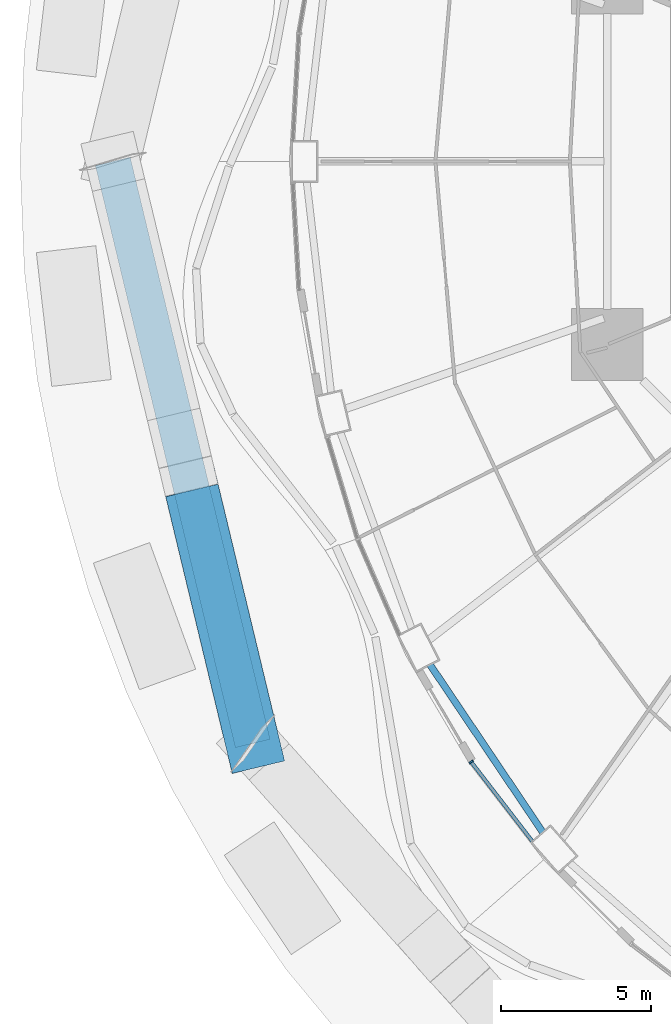
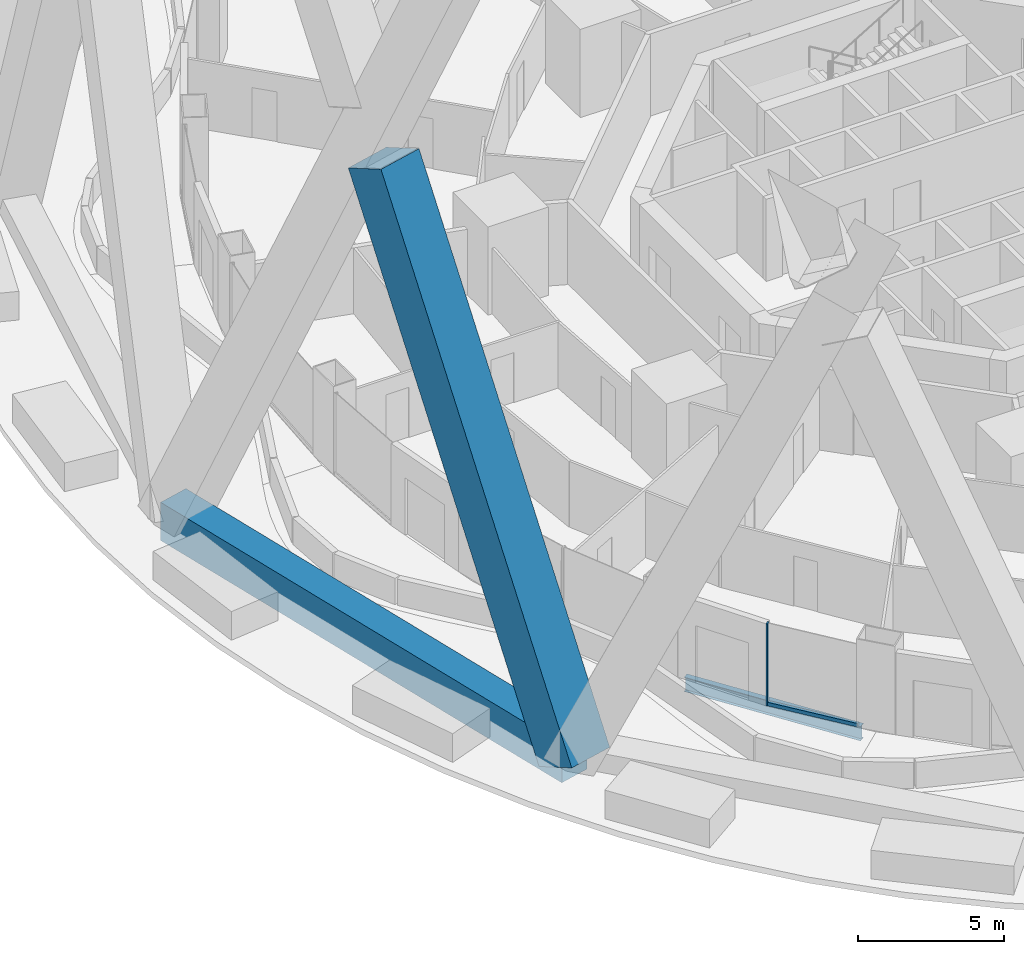
# One storey, part 4 of 42: 4 members, 1 beam, 1 element without a shape of its own.
"""IFC4 building model written with IfcOpenShell, lengths in metres."""

from ifc_helpers import new_model, si_unit, direction, frame, origin, origin_2d, place, context, subcontext, project, spatial, rectangle, i_section, extrude, material, layer, layer_set, material_profile, profile_set, type_object, element, aggregate, save


model = new_model("IFC4")

# Units and contexts
model_context = context("Model", 3, precision=1e-05, world=origin(), true_north=direction((0.0, 1.0)))
body_context = subcontext(model_context, "Body", "Model", "MODEL_VIEW")
ifc_project = project(units=[si_unit("LENGTHUNIT", "METRE"), si_unit("AREAUNIT", "SQUARE_METRE"), si_unit("VOLUMEUNIT", "CUBIC_METRE"), si_unit("PLANEANGLEUNIT", "RADIAN"), si_unit("MASSUNIT", "GRAM", prefix="KILO")], contexts=[model_context])

# Site, building, storey
site_placement = place(None, origin())
site = spatial("IfcSite", under=ifc_project, at=site_placement, CompositionType="ELEMENT")
building_placement = place(site_placement, origin())
building = spatial("IfcBuilding", under=site, at=building_placement, Name="Nagisa Residences", CompositionType="ELEMENT")
storey_placement = place(building_placement, frame((0.0, 0.0, 27.0)))
storey = spatial("IfcBuildingStorey", under=building, at=storey_placement, Name="L05", CompositionType="ELEMENT", Elevation=27.0)

# Curtain wall, members
ifc_material_1 = material(Name="Concrete-coloured aluminium curtain wall system", Category="concrete")
ifc_layer = layer(ifc_material_1, 0.159912109375)
ifc_layer_set = layer_set([ifc_layer], Name="CW1 CURTAIN WALL")
curtain_wall_type = type_object("IfcCurtainWallType", Name="CW1 CURTAIN WALL", PredefinedType="NOTDEFINED", material=ifc_layer_set)
curtain_wall_placement = place(storey_placement, origin())
curtain_wall = element("IfcCurtainWall", 1, at=curtain_wall_placement, inside=storey, type_object=curtain_wall_type, Name="cw:CW1:L05:29", PredefinedType="NOTDEFINED")
ifc_material_2 = material(Name="Concrete-coloured aluminium", Category="concrete")
ifc_material_profile_1 = material_profile(ifc_material_2, rectangle(XDim=0.159912109375, YDim=0.06005859375, at=origin_2d()), Name="CW1 MULLION 160x60")
ifc_profile_set_1 = profile_set([ifc_material_profile_1], Name="Concrete-coloured aluminium")
member_type_1 = type_object("IfcMemberType", Name="CW1 MULLION 160x60", PredefinedType="MULLION", material=ifc_profile_set_1)
member_1_placement = place(storey_placement, frame((-19.32568359375, -20.06396484375, 0.0), z_axis=(0.0, 0.0, 1.0), x_axis=(0.792070340816, 0.610429828235, 0.0)))
member_1 = element("IfcMember", 2, at=member_1_placement, type_object=member_type_1, Name="CW1 mullion", PredefinedType="MULLION", context=body_context, shape_type="SweptSolid", body=[
    extrude(rectangle(XDim=0.159912109375, YDim=0.06005859375, at=origin_2d()), origin(), (0.0, 0.0, 1.0), 3.43994140625),
])
ifc_material_3 = material(Name="Concrete-coloured aluminium", Category="concrete")
ifc_material_profile_2 = material_profile(ifc_material_3, rectangle(XDim=0.1201171875, YDim=0.14990234375, at=origin_2d()), Name="CW1 TRANSOM 120x150")
ifc_profile_set_2 = profile_set([ifc_material_profile_2], Name="Concrete-coloured aluminium")
member_type_2 = type_object("IfcMemberType", Name="CW1 TRANSOM 120x150", PredefinedType="USERDEFINED", material=ifc_profile_set_2)
member_2_placement = place(storey_placement, frame((-19.343994140625, -20.040283203125, 0.074951171875), z_axis=(0.610457147657, -0.792049285635, 0.0), x_axis=(0.792049285635, 0.610457147657, 0.0)))
member_2 = element("IfcMember", 3, at=member_2_placement, type_object=member_type_2, Name="CW1 transom", ObjectType="TRANSOM", PredefinedType="USERDEFINED", context=body_context, shape_type="SweptSolid", body=[
    extrude(rectangle(XDim=0.1201171875, YDim=0.14990234375, at=origin_2d()), origin(), (0.0, 0.0, 1.0), 3.3974609375),
])
aggregate(curtain_wall, [member_1, member_2])

# Members
ifc_material_4 = material(Name="Concrete C80", Category="concrete")
ifc_material_profile_3 = material_profile(ifc_material_4, rectangle(XDim=1.800048828125, YDim=1.800048828125, at=origin_2d()), Name="C80 1800x1800")
ifc_profile_set_3 = profile_set([ifc_material_profile_3], Name="Concrete C80")
member_type_3 = type_object("IfcMemberType", Name="Cage diagonal 1 C80 1800x1800", PredefinedType="BRACE", material=ifc_profile_set_3)
member_3_placement = place(storey_placement, frame((-26.624267578125, -19.449951171875, 0.0), z_axis=(-0.099349472142, 0.413268934021, 0.905173171586), x_axis=(-0.972299178317, -0.23373982939, 0.0)))
element("IfcMember", 4, at=member_3_placement, inside=storey, type_object=member_type_3, Name="mem:L05:cg1d114a", PredefinedType="BRACE", context=body_context, shape_type="SweptSolid", body=[
    extrude(rectangle(XDim=1.800048828125, YDim=1.800048828125, at=origin_2d()), origin(), (0.0, 0.0, 1.0), 22.3818359375),
])
ifc_material_5 = material(Name="Concrete C80", Category="concrete")
ifc_material_profile_4 = material_profile(ifc_material_5, rectangle(XDim=1.199951171875, YDim=1.60009765625, at=origin_2d()), Name="C80 1200x1600")
ifc_profile_set_4 = profile_set([ifc_material_profile_4], Name="Concrete C80")
member_type_4 = type_object("IfcMemberType", Name="Cage ring 1 C80 1200x1600", PredefinedType="CHORD", material=ifc_profile_set_4)
member_4_placement = place(storey_placement, frame((-31.300048828125, 0.0, 0.0), z_axis=(0.233741287483, -0.972298827792, 0.0), x_axis=(0.972298827792, 0.233741287483, 0.0)))
element("IfcMember", 5, at=member_4_placement, inside=storey, type_object=member_type_4, Name="beam:L05:cg1r107", PredefinedType="CHORD", context=body_context, shape_type="SweptSolid", body=[
    extrude(rectangle(XDim=1.199951171875, YDim=1.60009765625, at=origin_2d()), origin(), (0.0, 0.0, 1.0), 20.004150390625),
])

# Beam
ifc_material_6 = material(Name="Steel ASTM A572 Gr 50", Category="steel")
ifc_material_profile_5 = material_profile(ifc_material_6, i_section(OverallWidth=0.22802734375, OverallDepth=0.60302734375, WebThickness=0.010498046875, FlangeThickness=0.014892578125, at=origin_2d()), Name="W610x101")
ifc_profile_set_5 = profile_set([ifc_material_profile_5], Name="Steel ASTM A572 Gr 50")
beam_type = type_object("IfcBeamType", Name="Perimeter ring beam W610x101", PredefinedType="BEAM", material=ifc_profile_set_5)
beam_placement = place(storey_placement, frame((-20.69921875, -16.818603515625, -0.5615234375), z_axis=(0.558296806041, -0.829641293792, 0.0), x_axis=(0.829641293792, 0.558296806041, 0.0)))
element("IfcBeam", 6, at=beam_placement, inside=storey, type_object=beam_type, Name="beam:L05:pb15", PredefinedType="BEAM", context=body_context, shape_type="SweptSolid", body=[
    extrude(i_section(OverallWidth=0.22802734375, OverallDepth=0.60302734375, WebThickness=0.010498046875, FlangeThickness=0.014892578125, at=origin_2d()), origin(), (0.0, 0.0, 1.0), 6.74169921875),
])

save(model, "model.ifc")
